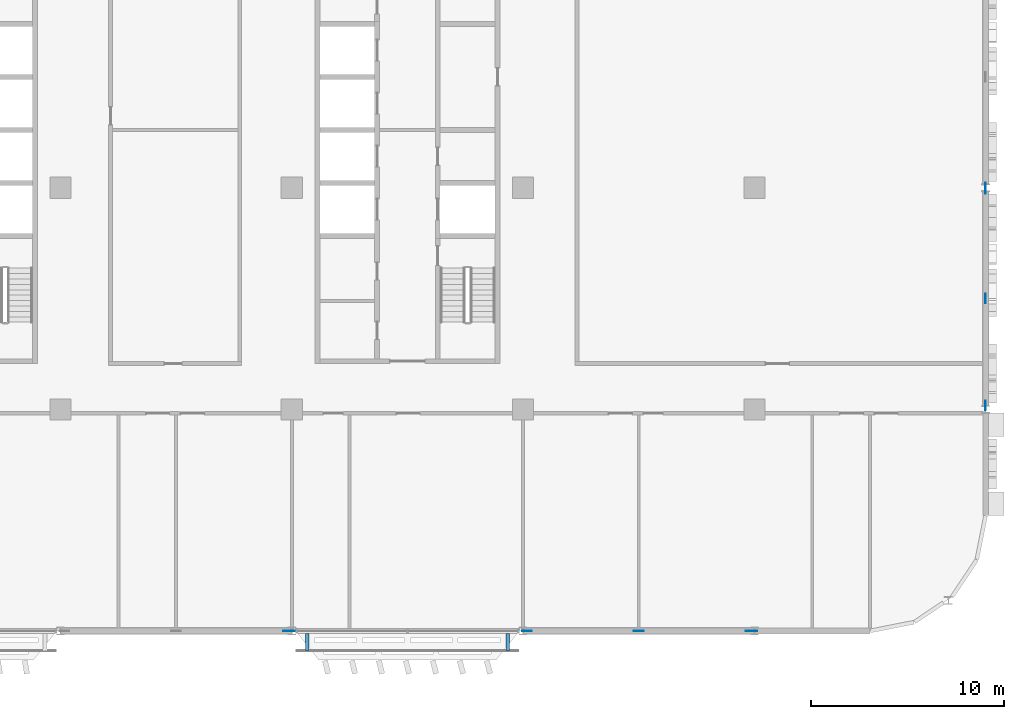
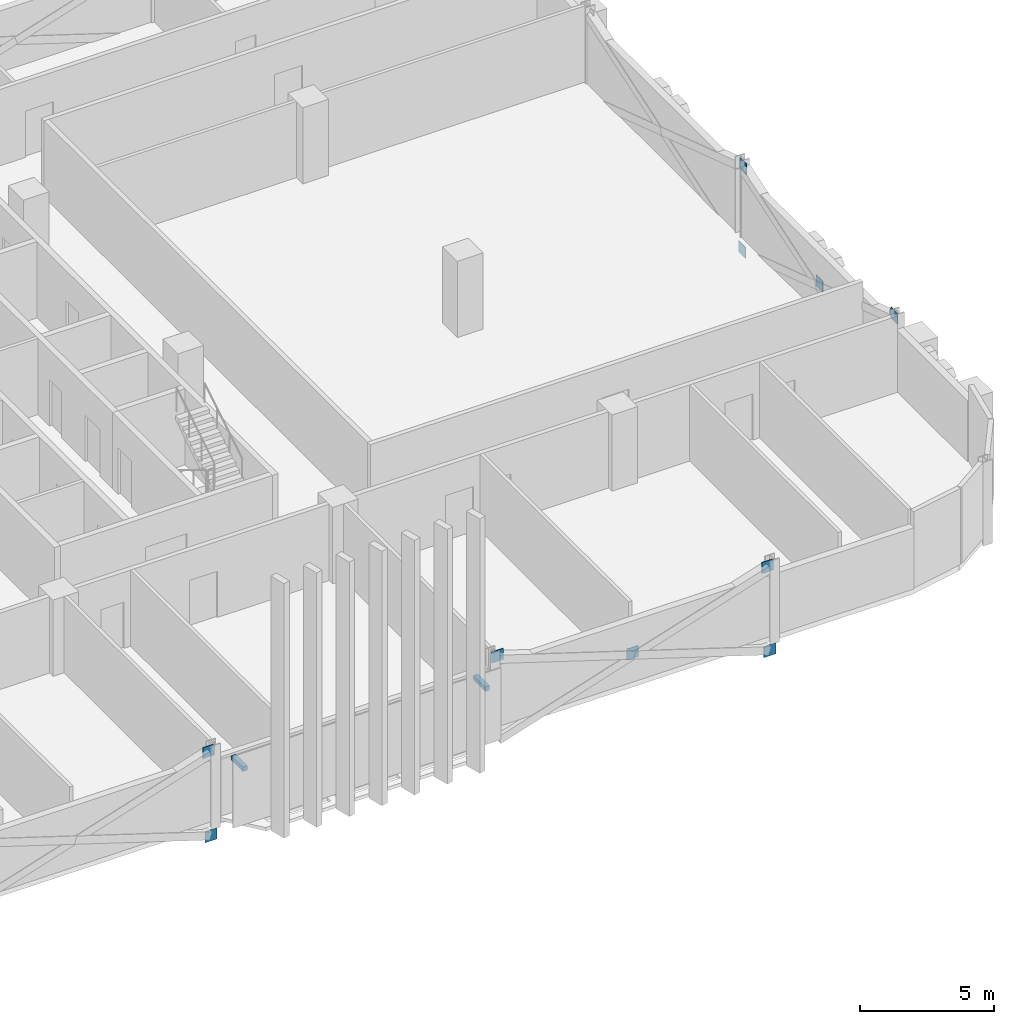
# One storey, part 18 of 28: 12 discrete accessories.
"""IFC4 building model written with IfcOpenShell, lengths in metres."""

from ifc_helpers import new_model, si_unit, direction, frame, origin, origin_2d, place, context, subcontext, project, spatial, rectangle, extrude, material, layer, layer_set, type_object, element, save


model = new_model("IFC4")

# Units and contexts
model_context = context("Model", 3, precision=1e-05, world=origin(), true_north=direction((0.0, 1.0)))
body_context = subcontext(model_context, "Body", "Model", "MODEL_VIEW")
ifc_project = project(units=[si_unit("LENGTHUNIT", "METRE"), si_unit("AREAUNIT", "SQUARE_METRE"), si_unit("VOLUMEUNIT", "CUBIC_METRE"), si_unit("PLANEANGLEUNIT", "RADIAN"), si_unit("MASSUNIT", "GRAM", prefix="KILO")], contexts=[model_context])

# Site, building, storey
site_placement = place(None, origin())
site = spatial("IfcSite", under=ifc_project, at=site_placement, CompositionType="ELEMENT")
building_placement = place(site_placement, origin())
building = spatial("IfcBuilding", under=site, at=building_placement, Name="Mahtab Terrace Research Tower", CompositionType="ELEMENT")
storey_placement = place(building_placement, frame((0.0, 0.0, 193.89990234375)))
storey = spatial("IfcBuildingStorey", under=building, at=storey_placement, Name="L46", CompositionType="ELEMENT", Elevation=193.89990234375)

# Discrete accessories
ifc_material_1 = material(Name="Black anodised aluminium", Category="aluminium")
discrete_accessory_type_1 = type_object("IfcDiscreteAccessoryType", Name="Facade bracket", PredefinedType="BRACKET", material=ifc_material_1)
for number, where, z_axis, x_axis, name in (
    (1, (18.800048828125, -23.5625, 2.48193359375), (0.0, 0.0, 1.0), (1.0, 0.0, 0.0), "Screen bracket Girih screen L46 S29"),
    (2, (29.199951171875, -23.5625, 2.48193359375), (0.0, 0.0, 1.0), (1.0, 0.0, 0.0), "Screen bracket Girih screen L46 S29"),
):
    element("IfcDiscreteAccessory", number, at=place(storey_placement, frame(where, z_axis=z_axis, x_axis=x_axis)), inside=storey, type_object=discrete_accessory_type_1, Name=name, PredefinedType="BRACKET", context=body_context, shape_type="SweptSolid", body=[
        extrude(rectangle(XDim=0.199951171875, YDim=0.875, at=origin_2d()), origin(), (0.0, 0.0, 1.0), 0.199951171875),
    ])
ifc_material_2 = material(Name="Steel ASTM A992 Gr 50", Category="steel")
ifc_layer = layer(ifc_material_2, 0.030029296875)
ifc_layer_set = layer_set([ifc_layer], Name="Gusset plate 500x500x30")
discrete_accessory_type_2 = type_object("IfcDiscreteAccessoryType", Name="Gusset plate 500x500x30", PredefinedType="USERDEFINED", material=ifc_layer_set)
for number, where, z_axis, x_axis, name in (
    (3, (17.899658203125, -23.0, -0.977783203125), (0.0, 0.0, 1.0), (1.0, 0.0, 0.0), "Gusset plate"),
    (4, (17.79931640625, -23.0, 2.87109375), (0.0, 0.0, 1.0), (1.0, 0.0, 0.0), "Gusset plate"),
    (5, (30.20068359375, -23.0, 2.87109375), (0.0, 0.0, 1.0), (1.0, 0.0, 0.0), "Gusset plate"),
    (6, (36.0, -23.0, 0.970947265625), (0.0, 0.0, 1.0), (1.0, 0.0, 0.0), "Gusset plate"),
    (7, (41.899658203125, -23.0, -0.977783203125), (0.0, 0.0, 1.0), (1.0, 0.0, 0.0), "Gusset plate"),
    (8, (41.79931640625, -23.0, 2.87109375), (0.0, 0.0, 1.0), (1.0, 0.0, 0.0), "Gusset plate"),
    (9, (54.0, -11.300537109375, 2.87109375), (0.0, 0.0, 1.0), (0.0, 1.0, 0.0), "Gusset plate"),
    (10, (54.0, -5.75, 0.970947265625), (0.0, 0.0, 1.0), (0.0, 1.0, 0.0), "Gusset plate"),
    (11, (54.0, 0.0, -0.976806640625), (0.0, 0.0, 1.0), (0.0, 1.0, 0.0), "Gusset plate"),
    (12, (54.0, -0.06640625, 2.848876953125), (0.0, 0.0, 1.0), (0.0, 1.0, 0.0), "Gusset plate"),
):
    element("IfcDiscreteAccessory", number, at=place(storey_placement, frame(where, z_axis=z_axis, x_axis=x_axis)), inside=storey, type_object=discrete_accessory_type_2, Name=name, ObjectType="GUSSET PLATE", PredefinedType="USERDEFINED", context=body_context, shape_type="SweptSolid", body=[
        extrude(rectangle(XDim=0.5, YDim=0.030029296875, at=origin_2d()), origin(), (0.0, 0.0, 1.0), 0.5),
    ])

save(model, "model.ifc")
